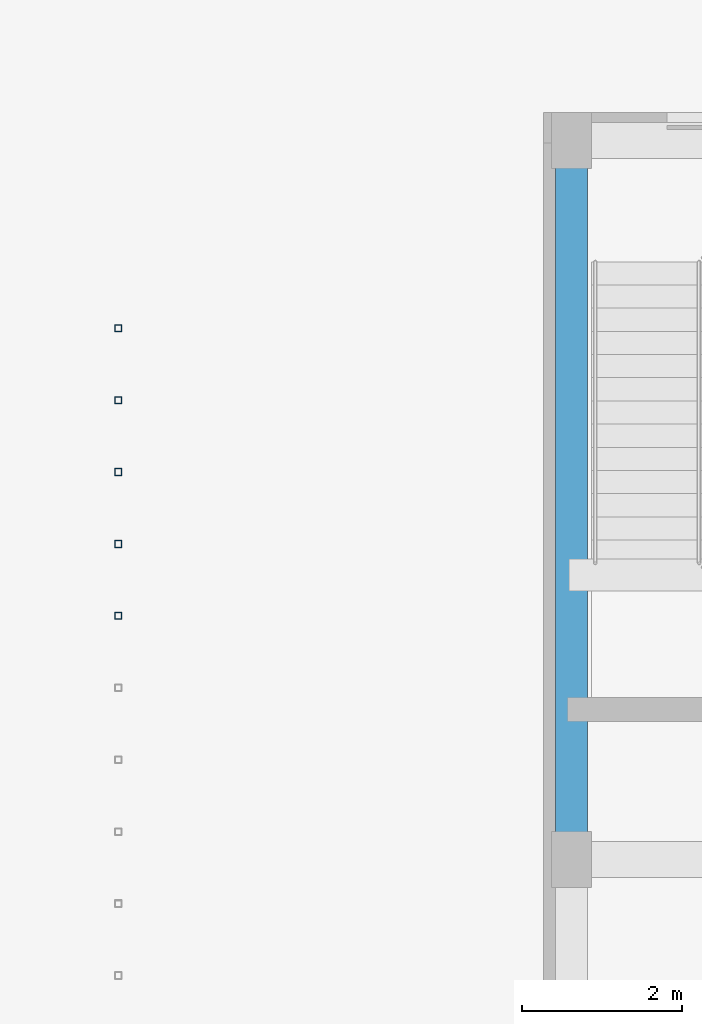
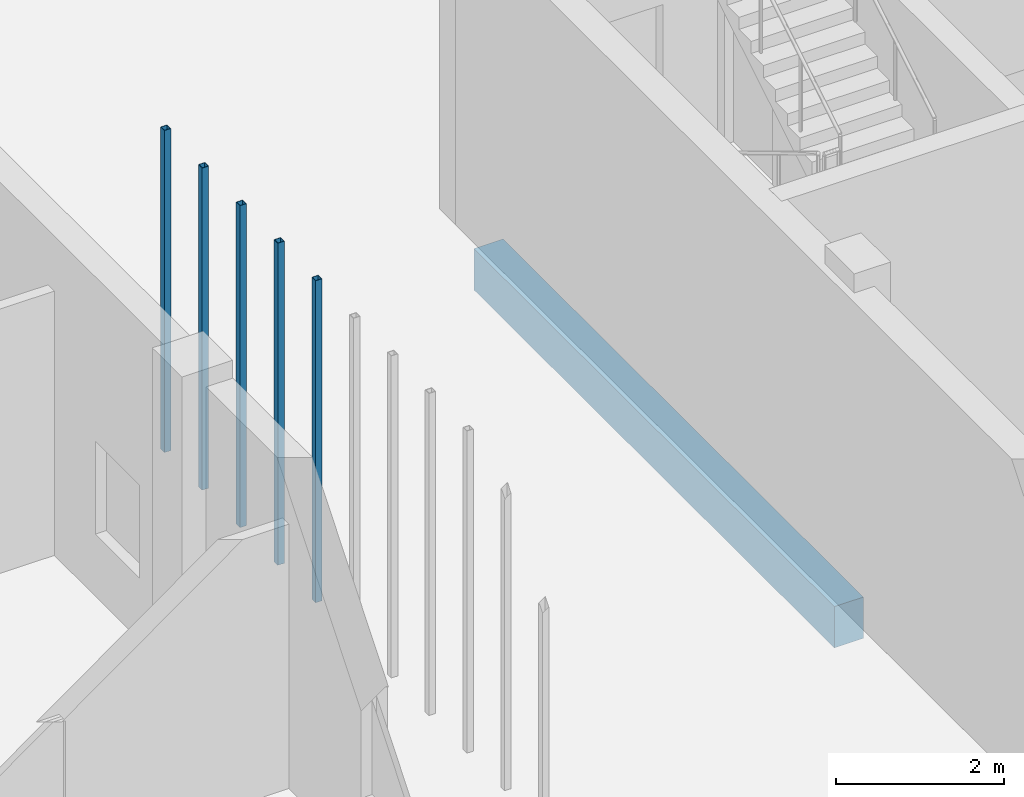
# One storey, part 6 of 85: 5 members, 1 beam.
"""IFC4 building model written with IfcOpenShell, lengths in metres."""

from ifc_helpers import new_model, si_unit, derived_unit, direction, frame, origin, origin_2d, place, context, subcontext, project, spatial, rectangle, hollow_rectangle, extrude, material, material_profile, profile_set, type_object, element, save


model = new_model("IFC4")

# Units and contexts
model_context = context("Model", 3, precision=1e-05, world=origin(), true_north=direction((0.0, 1.0)))
body_context = subcontext(model_context, "Body", "Model", "MODEL_VIEW")
ifc_project = project(units=[si_unit("LENGTHUNIT", "METRE"), si_unit("AREAUNIT", "SQUARE_METRE"), si_unit("VOLUMEUNIT", "CUBIC_METRE"), si_unit("PLANEANGLEUNIT", "RADIAN"), si_unit("MASSUNIT", "GRAM", prefix="KILO"), derived_unit("THERMALTRANSMITTANCEUNIT", [(si_unit("MASSUNIT", "GRAM", prefix="KILO"), 1), (si_unit("TIMEUNIT", "SECOND"), -3), (si_unit("THERMODYNAMICTEMPERATUREUNIT", "KELVIN"), -1)])], contexts=[model_context])

# Site, building, storey
site_placement = place(None, origin())
site = spatial("IfcSite", under=ifc_project, at=site_placement, CompositionType="ELEMENT")
building_placement = place(site_placement, origin())
building = spatial("IfcBuilding", under=site, at=building_placement, Name="Ochrekiln Boulevard Commons", CompositionType="ELEMENT")
storey_placement = place(building_placement, origin())
storey = spatial("IfcBuildingStorey", under=building, at=storey_placement, Name="L00", CompositionType="ELEMENT", Elevation=0.0)

# Beam
ifc_material_1 = material(Name="Concrete C35/45", Category="concrete")
ifc_material_profile_1 = material_profile(ifc_material_1, rectangle(XDim=0.39990234375, YDim=0.60009765625, at=origin_2d()), Name="RC-BM-400x600")
ifc_profile_set_1 = profile_set([ifc_material_profile_1], Name="Concrete C35/45")
beam_type = type_object("IfcBeamType", Name="BM-RC-400x600", PredefinedType="BEAM", material=ifc_profile_set_1)
beam_placement = place(storey_placement, frame((29.14990234375, 12.4599609375, -0.590087890625), z_axis=(0.0, 1.0, 0.0), x_axis=(-1.0, 0.0, 0.0)))
element("IfcBeam", 1, at=beam_placement, inside=storey, type_object=beam_type, Name="West Boulevard Shops and Arcade L00 Beam B-4060 Y19", PredefinedType="BEAM", context=body_context, shape_type="SweptSolid", body=[
    extrude(rectangle(XDim=0.39990234375, YDim=0.60009765625, at=origin_2d()), origin(), (0.0, 0.0, 1.0), 8.580078125),
])

# Members
ifc_material_2 = material(Name="Steel A500 Grade C", Category="steel")
ifc_material_profile_2 = material_profile(ifc_material_2, hollow_rectangle(XDim=0.090087890625, YDim=0.090087890625, WallThickness=0.00634765625, at=origin_2d()), Name="HSS90X90X6.4")
ifc_profile_set_2 = profile_set([ifc_material_profile_2], Name="Steel A500 Grade C")
member_type = type_object("IfcMemberType", Name="MEM-PST-HSS90", PredefinedType="POST", material=ifc_profile_set_2)
for number, where, z_axis, x_axis, name in (
    (2, (23.47998046875, 15.300048828125, 0.0), (0.0, 0.0, 1.0), (1.0, 0.0, 0.0), "Block D L00 Slim Vertical Balcony Post (271)"),
    (3, (23.47998046875, 16.199951171875, 0.0), (0.0, 0.0, 1.0), (1.0, 0.0, 0.0), "Block D L00 Slim Vertical Balcony Post (272)"),
    (4, (23.47998046875, 17.10009765625, 0.0), (0.0, 0.0, 1.0), (1.0, 0.0, 0.0), "Block D L00 Slim Vertical Balcony Post (273)"),
    (5, (23.47998046875, 18.0, 0.0), (0.0, 0.0, 1.0), (1.0, 0.0, 0.0), "Block D L00 Slim Vertical Balcony Post (274)"),
    (6, (23.47998046875, 18.89990234375, 0.0), (0.0, 0.0, 1.0), (1.0, 0.0, 0.0), "Block D L00 Slim Vertical Balcony Post (275)"),
):
    element("IfcMember", number, at=place(storey_placement, frame(where, z_axis=z_axis, x_axis=x_axis)), inside=storey, type_object=member_type, Name=name, PredefinedType="POST", context=body_context, shape_type="SweptSolid", body=[
        extrude(hollow_rectangle(XDim=0.090087890625, YDim=0.090087890625, WallThickness=0.00634765625, at=origin_2d()), origin(), (0.0, 0.0, 1.0), 4.679931640625),
    ])

save(model, "model.ifc")
